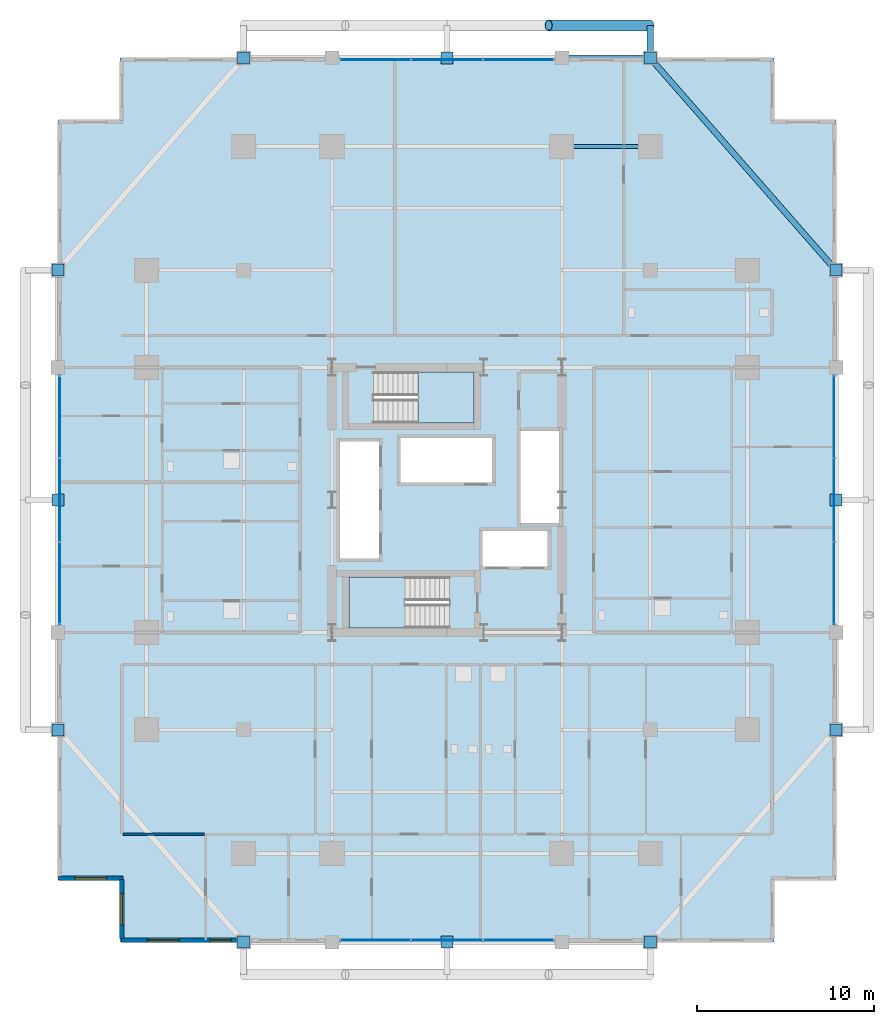
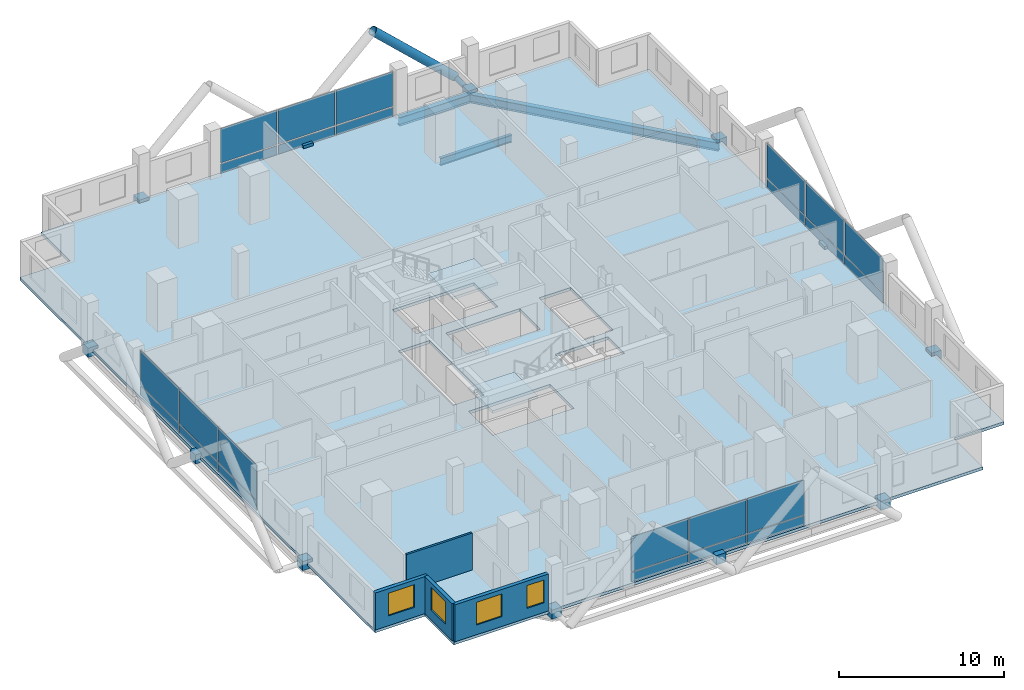
# One storey, part 20 of 27: 36 plates, 4 walls, 4 windows, 3 beams, 3 slabs, 2 members, 4 openings, 6 elements without a shape of their own.
"""IFC4 building model written with IfcOpenShell, lengths in metres."""

from ifc_helpers import new_model, si_unit, direction, frame, frame_2d, origin, origin_2d, place, context, subcontext, project, spatial, polyline, rectangle, hollow_circle, i_section, outline, extrude, material, layer, layer_set, material_profile, profile_set, type_object, element, fill, aggregate, save


model = new_model("IFC4")

# Units and contexts
model_context = context("Model", 3, precision=1e-05, world=origin(), true_north=direction((0.0, 1.0)))
body_context = subcontext(model_context, "Body", "Model", "MODEL_VIEW")
ifc_project = project(units=[si_unit("LENGTHUNIT", "METRE"), si_unit("AREAUNIT", "SQUARE_METRE"), si_unit("VOLUMEUNIT", "CUBIC_METRE"), si_unit("PLANEANGLEUNIT", "RADIAN"), si_unit("MASSUNIT", "GRAM", prefix="KILO")], contexts=[model_context])

# Site, building, storey
site_placement = place(None, origin())
site = spatial("IfcSite", under=ifc_project, at=site_placement, CompositionType="ELEMENT")
building_placement = place(site_placement, origin())
building = spatial("IfcBuilding", under=site, at=building_placement, Name="Barlavira Tower and Art Museum", CompositionType="ELEMENT")
storey_placement = place(building_placement, frame((0.0, 0.0, 50.39990234375)))
storey = spatial("IfcBuildingStorey", under=building, at=storey_placement, Name="L11", CompositionType="ELEMENT", Elevation=50.39990234375)

# Members
ifc_material_1 = material(Name="Steel S355", Category="steel")
ifc_material_profile_1 = material_profile(ifc_material_1, hollow_circle(Radius=0.304931640625, WallThickness=0.028076171875, at=origin_2d()), Name="CHS 610.0x28.0")
ifc_profile_set_1 = profile_set([ifc_material_profile_1], Name="Steel S355")
member_type_1 = type_object("IfcMemberType", Name="Pale-Metal Exoskeleton Diagrid Tube CHS 610x28 Steel S355", PredefinedType="BRACE", material=ifc_profile_set_1)
member_1_placement = place(storey_placement, frame((11.5, 26.85009765625, -0.119873046875), z_axis=(-0.728950095515, 0.0, 0.684566839869), x_axis=(0.0, -1.0, 0.0)))
element("IfcMember", 1, at=member_1_placement, inside=storey, type_object=member_type_1, Name="L11 Exoskeleton Diagrid Tube N", PredefinedType="BRACE", context=body_context, shape_type="SweptSolid", body=[
    extrude(hollow_circle(Radius=0.304931640625, WallThickness=0.028076171875, at=origin_2d()), origin(), (0.0, 0.0, 1.0), 7.887939453125),
])
ifc_material_profile_2 = material_profile(ifc_material_1, hollow_circle(Radius=0.177734375, WallThickness=0.01611328125, at=origin_2d()), Name="CHS 355.6x16.0")
ifc_profile_set_2 = profile_set([ifc_material_profile_2], Name="Steel S355")
member_type_2 = type_object("IfcMemberType", Name="Pale-Metal Exoskeleton Tie Strut CHS 356x16 Steel S355", PredefinedType="STRUT", material=ifc_profile_set_2)
member_2_placement = place(storey_placement, frame((11.5, 26.85009765625, -0.119873046875), z_axis=(0.0, -1.0, 0.0), x_axis=(1.0, 0.0, 0.0)))
element("IfcMember", 2, at=member_2_placement, inside=storey, type_object=member_type_2, Name="L11 Exoskeleton Tie Strut N3", PredefinedType="STRUT", context=body_context, shape_type="SweptSolid", body=[
    extrude(hollow_circle(Radius=0.177734375, WallThickness=0.01611328125, at=origin_2d()), origin(), (0.0, 0.0, 1.0), 1.85009765625),
])

# Beams
ifc_material_profile_3 = material_profile(ifc_material_1, i_section(OverallWidth=0.327880859375, OverallDepth=0.62890625, WebThickness=0.013916015625, FlangeThickness=0.021484375, at=origin_2d()), Name="W610x174.0")
ifc_profile_set_3 = profile_set([ifc_material_profile_3], Name="Steel S355")
beam_type_1 = type_object("IfcBeamType", Name="Perimeter Spandrel Edge Beam W610x174 Steel S355", PredefinedType="SPANDREL", material=ifc_profile_set_3)
beam_1_placement = place(storey_placement, frame((22.0, 13.0, -0.534423828125), z_axis=(-0.658504607869, 0.752576694707, 0.0), x_axis=(-0.752576694707, -0.658504607869, 0.0)))
element("IfcBeam", 3, at=beam_1_placement, inside=storey, type_object=beam_type_1, Name="L11 Spandrel 8", PredefinedType="SPANDREL", context=body_context, shape_type="SweptSolid", body=[
    extrude(i_section(OverallWidth=0.327880859375, OverallDepth=0.62890625, WebThickness=0.013916015625, FlangeThickness=0.021484375, at=origin_2d()), origin(), (0.0, 0.0, 1.0), 15.9453125),
])
beam_2_placement = place(storey_placement, frame((6.5, 25.0, -0.534423828125), z_axis=(1.0, 0.0, 0.0), x_axis=(0.0, 1.0, 0.0)))
element("IfcBeam", 4, at=beam_2_placement, inside=storey, type_object=beam_type_1, Name="L11 Spandrel 9", PredefinedType="SPANDREL", context=body_context, shape_type="SweptSolid", body=[
    extrude(i_section(OverallWidth=0.327880859375, OverallDepth=0.62890625, WebThickness=0.013916015625, FlangeThickness=0.021484375, at=origin_2d()), origin(), (0.0, 0.0, 1.0), 5.0),
])
ifc_material_profile_4 = material_profile(ifc_material_1, i_section(OverallWidth=0.214111328125, OverallDepth=0.549072265625, WebThickness=0.0146484375, FlangeThickness=0.023681640625, at=origin_2d()), Name="W530x138.0")
ifc_profile_set_4 = profile_set([ifc_material_profile_4], Name="Steel S355")
beam_type_2 = type_object("IfcBeamType", Name="Zone 1 Primary Floor Girder W530x138 Steel S355", PredefinedType="BEAM", material=ifc_profile_set_4)
beam_3_placement = place(storey_placement, frame((6.5, 20.0, -0.494384765625), z_axis=(1.0, 0.0, 0.0), x_axis=(0.0, 1.0, 0.0)))
element("IfcBeam", 5, at=beam_3_placement, inside=storey, type_object=beam_type_2, Name="L11 Girder M-N3", PredefinedType="BEAM", context=body_context, shape_type="SweptSolid", body=[
    extrude(i_section(OverallWidth=0.214111328125, OverallDepth=0.549072265625, WebThickness=0.0146484375, FlangeThickness=0.023681640625, at=origin_2d()), origin(), (0.0, 0.0, 1.0), 5.0),
])

# Curtain wall, plates
ifc_material_2 = material(Name="Low-iron coastal laminated glass", Category="glass")
ifc_layer_1 = layer(ifc_material_2, 0.179931640625, Name="Low-iron coastal laminated glass")
ifc_layer_set_1 = layer_set([ifc_layer_1], Name="Low-iron coastal laminated glass")
curtain_wall_type = type_object("IfcCurtainWallType", Name="Pale-Metal Unitised Curtain Wall Zone 1", PredefinedType="NOTDEFINED", material=ifc_layer_set_1)
curtain_wall_1_placement = place(storey_placement, origin())
curtain_wall_1 = element("IfcCurtainWall", 6, at=curtain_wall_1_placement, inside=storey, type_object=curtain_wall_type, Name="L11 Curtain Wall CW1-L11-S-B3", PredefinedType="NOTDEFINED")
ifc_material_3 = material(Name="Pale anodised aluminium", Category="aluminium")
ifc_layer_2 = layer(ifc_material_3, 0.044921875, Name="Pale anodised aluminium")
ifc_layer_set_2 = layer_set([ifc_layer_2], Name="Pale anodised aluminium")
plate_type_1 = type_object("IfcPlateType", Name="Curtain Wall Pale-Metal Spandrel Panel 45", PredefinedType="CURTAIN_PANEL", material=ifc_layer_set_2)
plate_1_placement = place(storey_placement, frame((-4.05322265625, -24.89990234375, 0.0400390625), z_axis=(0.0, 0.0, 1.0), x_axis=(1.0, 0.0, 0.0)))
plate_1 = element("IfcPlate", 7, at=plate_1_placement, type_object=plate_type_1, Name="CW1-L11-S-B3 Spandrel Panel 0", PredefinedType="CURTAIN_PANEL", context=body_context, shape_type="SweptSolid", body=[
    extrude(rectangle(XDim=3.953369140625, YDim=0.044921875, at=origin_2d()), origin(), (0.0, 0.0, 1.0), 0.6640625),
])
plate_2_placement = place(storey_placement, frame((0.0, -24.89990234375, 0.0400390625), z_axis=(0.0, 0.0, 1.0), x_axis=(1.0, 0.0, 0.0)))
plate_2 = element("IfcPlate", 8, at=plate_2_placement, type_object=plate_type_1, Name="CW1-L11-S-B3 Spandrel Panel 1", PredefinedType="CURTAIN_PANEL", context=body_context, shape_type="SweptSolid", body=[
    extrude(rectangle(XDim=3.953369140625, YDim=0.044921875, at=origin_2d()), origin(), (0.0, 0.0, 1.0), 0.6640625),
])
plate_3_placement = place(storey_placement, frame((4.05322265625, -24.89990234375, 0.0400390625), z_axis=(0.0, 0.0, 1.0), x_axis=(1.0, 0.0, 0.0)))
plate_3 = element("IfcPlate", 9, at=plate_3_placement, type_object=plate_type_1, Name="CW1-L11-S-B3 Spandrel Panel 2", PredefinedType="CURTAIN_PANEL", context=body_context, shape_type="SweptSolid", body=[
    extrude(rectangle(XDim=3.953369140625, YDim=0.044921875, at=origin_2d()), origin(), (0.0, 0.0, 1.0), 0.6640625),
])

curtain_wall_2_placement = place(storey_placement, origin())
curtain_wall_2 = element("IfcCurtainWall", 10, at=curtain_wall_2_placement, inside=storey, type_object=curtain_wall_type, Name="L11 Curtain Wall CW1-L11-N-B3", PredefinedType="NOTDEFINED")
plate_4_placement = place(storey_placement, frame((4.05322265625, 24.89990234375, 0.0400390625), z_axis=(0.0, 0.0, 1.0), x_axis=(-1.0, 0.0, 0.0)))
plate_4 = element("IfcPlate", 11, at=plate_4_placement, type_object=plate_type_1, Name="CW1-L11-N-B3 Spandrel Panel 0", PredefinedType="CURTAIN_PANEL", context=body_context, shape_type="SweptSolid", body=[
    extrude(rectangle(XDim=3.953369140625, YDim=0.044921875, at=origin_2d()), origin(), (0.0, 0.0, 1.0), 0.6640625),
])
plate_5_placement = place(storey_placement, frame((0.0, 24.89990234375, 0.0400390625), z_axis=(0.0, 0.0, 1.0), x_axis=(-1.0, 0.0, 0.0)))
plate_5 = element("IfcPlate", 12, at=plate_5_placement, type_object=plate_type_1, Name="CW1-L11-N-B3 Spandrel Panel 1", PredefinedType="CURTAIN_PANEL", context=body_context, shape_type="SweptSolid", body=[
    extrude(rectangle(XDim=3.953369140625, YDim=0.044921875, at=origin_2d()), origin(), (0.0, 0.0, 1.0), 0.6640625),
])
plate_6_placement = place(storey_placement, frame((-4.05322265625, 24.89990234375, 0.0400390625), z_axis=(0.0, 0.0, 1.0), x_axis=(-1.0, 0.0, 0.0)))
plate_6 = element("IfcPlate", 13, at=plate_6_placement, type_object=plate_type_1, Name="CW1-L11-N-B3 Spandrel Panel 2", PredefinedType="CURTAIN_PANEL", context=body_context, shape_type="SweptSolid", body=[
    extrude(rectangle(XDim=3.953369140625, YDim=0.044921875, at=origin_2d()), origin(), (0.0, 0.0, 1.0), 0.6640625),
])

curtain_wall_3_placement = place(storey_placement, origin())
curtain_wall_3 = element("IfcCurtainWall", 14, at=curtain_wall_3_placement, inside=storey, type_object=curtain_wall_type, Name="L11 Curtain Wall CW1-L11-W-B3", PredefinedType="NOTDEFINED")
plate_7_placement = place(storey_placement, frame((-21.89990234375, 4.719970703125, 0.0400390625), z_axis=(0.0, 0.0, 1.0), x_axis=(0.0, -1.0, 0.0)))
plate_7 = element("IfcPlate", 15, at=plate_7_placement, type_object=plate_type_1, Name="CW1-L11-W-B3 Spandrel Panel 0", PredefinedType="CURTAIN_PANEL", context=body_context, shape_type="SweptSolid", body=[
    extrude(rectangle(XDim=4.6201171875, YDim=0.044921875, at=origin_2d()), origin(), (0.0, 0.0, 1.0), 0.6640625),
])
plate_8_placement = place(storey_placement, frame((-21.89990234375, 0.0, 0.0400390625), z_axis=(0.0, 0.0, 1.0), x_axis=(0.0, -1.0, 0.0)))
plate_8 = element("IfcPlate", 16, at=plate_8_placement, type_object=plate_type_1, Name="CW1-L11-W-B3 Spandrel Panel 1", PredefinedType="CURTAIN_PANEL", context=body_context, shape_type="SweptSolid", body=[
    extrude(rectangle(XDim=4.6201171875, YDim=0.044921875, at=origin_2d()), origin(), (0.0, 0.0, 1.0), 0.6640625),
])
plate_9_placement = place(storey_placement, frame((-21.89990234375, -4.719970703125, 0.0400390625), z_axis=(0.0, 0.0, 1.0), x_axis=(0.0, -1.0, 0.0)))
plate_9 = element("IfcPlate", 17, at=plate_9_placement, type_object=plate_type_1, Name="CW1-L11-W-B3 Spandrel Panel 2", PredefinedType="CURTAIN_PANEL", context=body_context, shape_type="SweptSolid", body=[
    extrude(rectangle(XDim=4.6201171875, YDim=0.044921875, at=origin_2d()), origin(), (0.0, 0.0, 1.0), 0.6640625),
])

curtain_wall_4_placement = place(storey_placement, origin())
curtain_wall_4 = element("IfcCurtainWall", 18, at=curtain_wall_4_placement, inside=storey, type_object=curtain_wall_type, Name="L11 Curtain Wall CW1-L11-E-B3", PredefinedType="NOTDEFINED")
plate_10_placement = place(storey_placement, frame((21.89990234375, -4.719970703125, 0.0400390625), z_axis=(0.0, 0.0, 1.0), x_axis=(0.0, 1.0, 0.0)))
plate_10 = element("IfcPlate", 19, at=plate_10_placement, type_object=plate_type_1, Name="CW1-L11-E-B3 Spandrel Panel 0", PredefinedType="CURTAIN_PANEL", context=body_context, shape_type="SweptSolid", body=[
    extrude(rectangle(XDim=4.6201171875, YDim=0.044921875, at=origin_2d()), origin(), (0.0, 0.0, 1.0), 0.6640625),
])
plate_11_placement = place(storey_placement, frame((21.89990234375, 0.0, 0.0400390625), z_axis=(0.0, 0.0, 1.0), x_axis=(0.0, 1.0, 0.0)))
plate_11 = element("IfcPlate", 20, at=plate_11_placement, type_object=plate_type_1, Name="CW1-L11-E-B3 Spandrel Panel 1", PredefinedType="CURTAIN_PANEL", context=body_context, shape_type="SweptSolid", body=[
    extrude(rectangle(XDim=4.6201171875, YDim=0.044921875, at=origin_2d()), origin(), (0.0, 0.0, 1.0), 0.6640625),
])
plate_12_placement = place(storey_placement, frame((21.89990234375, 4.719970703125, 0.0400390625), z_axis=(0.0, 0.0, 1.0), x_axis=(0.0, 1.0, 0.0)))
plate_12 = element("IfcPlate", 21, at=plate_12_placement, type_object=plate_type_1, Name="CW1-L11-E-B3 Spandrel Panel 2", PredefinedType="CURTAIN_PANEL", context=body_context, shape_type="SweptSolid", body=[
    extrude(rectangle(XDim=4.6201171875, YDim=0.044921875, at=origin_2d()), origin(), (0.0, 0.0, 1.0), 0.6640625),
])

# Plate
ifc_layer_3 = layer(ifc_material_2, 0.028076171875, Name="Low-iron coastal laminated glass")
ifc_layer_set_3 = layer_set([ifc_layer_3], Name="Low-iron coastal laminated glass")
plate_type_2 = type_object("IfcPlateType", Name="Curtain Wall Vision Glazing Panel 28", PredefinedType="CURTAIN_PANEL", material=ifc_layer_set_3)
plate_13_placement = place(storey_placement, frame((-4.05322265625, -24.89990234375, 0.7841796875), z_axis=(0.0, 0.0, 1.0), x_axis=(1.0, 0.0, 0.0)))
plate_13 = element("IfcPlate", 22, at=plate_13_placement, type_object=plate_type_2, Name="CW1-L11-S-B3 Vision Glass Panel 0", PredefinedType="CURTAIN_PANEL", context=body_context, shape_type="SweptSolid", body=[
    extrude(rectangle(XDim=3.953369140625, YDim=0.028076171875, at=origin_2d()), origin(), (0.0, 0.0, 1.0), 2.555908203125),
])

plate_14_placement = place(storey_placement, frame((0.0, -24.89990234375, 0.7841796875), z_axis=(0.0, 0.0, 1.0), x_axis=(1.0, 0.0, 0.0)))
plate_14 = element("IfcPlate", 23, at=plate_14_placement, type_object=plate_type_2, Name="CW1-L11-S-B3 Vision Glass Panel 1", PredefinedType="CURTAIN_PANEL", context=body_context, shape_type="SweptSolid", body=[
    extrude(rectangle(XDim=3.953369140625, YDim=0.028076171875, at=origin_2d()), origin(), (0.0, 0.0, 1.0), 2.555908203125),
])

plate_15_placement = place(storey_placement, frame((4.05322265625, -24.89990234375, 0.7841796875), z_axis=(0.0, 0.0, 1.0), x_axis=(1.0, 0.0, 0.0)))
plate_15 = element("IfcPlate", 24, at=plate_15_placement, type_object=plate_type_2, Name="CW1-L11-S-B3 Vision Glass Panel 2", PredefinedType="CURTAIN_PANEL", context=body_context, shape_type="SweptSolid", body=[
    extrude(rectangle(XDim=3.953369140625, YDim=0.028076171875, at=origin_2d()), origin(), (0.0, 0.0, 1.0), 2.555908203125),
])

aggregate(curtain_wall_1, [plate_1, plate_13, plate_2, plate_14, plate_3, plate_15])

plate_16_placement = place(storey_placement, frame((4.05322265625, 24.89990234375, 0.7841796875), z_axis=(0.0, 0.0, 1.0), x_axis=(-1.0, 0.0, 0.0)))
plate_16 = element("IfcPlate", 25, at=plate_16_placement, type_object=plate_type_2, Name="CW1-L11-N-B3 Vision Glass Panel 0", PredefinedType="CURTAIN_PANEL", context=body_context, shape_type="SweptSolid", body=[
    extrude(rectangle(XDim=3.953369140625, YDim=0.028076171875, at=origin_2d()), origin(), (0.0, 0.0, 1.0), 2.555908203125),
])

plate_17_placement = place(storey_placement, frame((0.0, 24.89990234375, 0.7841796875), z_axis=(0.0, 0.0, 1.0), x_axis=(-1.0, 0.0, 0.0)))
plate_17 = element("IfcPlate", 26, at=plate_17_placement, type_object=plate_type_2, Name="CW1-L11-N-B3 Vision Glass Panel 1", PredefinedType="CURTAIN_PANEL", context=body_context, shape_type="SweptSolid", body=[
    extrude(rectangle(XDim=3.953369140625, YDim=0.028076171875, at=origin_2d()), origin(), (0.0, 0.0, 1.0), 2.555908203125),
])

plate_18_placement = place(storey_placement, frame((-4.05322265625, 24.89990234375, 0.7841796875), z_axis=(0.0, 0.0, 1.0), x_axis=(-1.0, 0.0, 0.0)))
plate_18 = element("IfcPlate", 27, at=plate_18_placement, type_object=plate_type_2, Name="CW1-L11-N-B3 Vision Glass Panel 2", PredefinedType="CURTAIN_PANEL", context=body_context, shape_type="SweptSolid", body=[
    extrude(rectangle(XDim=3.953369140625, YDim=0.028076171875, at=origin_2d()), origin(), (0.0, 0.0, 1.0), 2.555908203125),
])

aggregate(curtain_wall_2, [plate_4, plate_16, plate_5, plate_17, plate_6, plate_18])

plate_19_placement = place(storey_placement, frame((-21.89990234375, 4.719970703125, 0.7841796875), z_axis=(0.0, 0.0, 1.0), x_axis=(0.0, -1.0, 0.0)))
plate_19 = element("IfcPlate", 28, at=plate_19_placement, type_object=plate_type_2, Name="CW1-L11-W-B3 Vision Glass Panel 0", PredefinedType="CURTAIN_PANEL", context=body_context, shape_type="SweptSolid", body=[
    extrude(rectangle(XDim=4.6201171875, YDim=0.028076171875, at=origin_2d()), origin(), (0.0, 0.0, 1.0), 2.555908203125),
])

plate_20_placement = place(storey_placement, frame((-21.89990234375, 0.0, 0.7841796875), z_axis=(0.0, 0.0, 1.0), x_axis=(0.0, -1.0, 0.0)))
plate_20 = element("IfcPlate", 29, at=plate_20_placement, type_object=plate_type_2, Name="CW1-L11-W-B3 Vision Glass Panel 1", PredefinedType="CURTAIN_PANEL", context=body_context, shape_type="SweptSolid", body=[
    extrude(rectangle(XDim=4.6201171875, YDim=0.028076171875, at=origin_2d()), origin(), (0.0, 0.0, 1.0), 2.555908203125),
])

plate_21_placement = place(storey_placement, frame((-21.89990234375, -4.719970703125, 0.7841796875), z_axis=(0.0, 0.0, 1.0), x_axis=(0.0, -1.0, 0.0)))
plate_21 = element("IfcPlate", 30, at=plate_21_placement, type_object=plate_type_2, Name="CW1-L11-W-B3 Vision Glass Panel 2", PredefinedType="CURTAIN_PANEL", context=body_context, shape_type="SweptSolid", body=[
    extrude(rectangle(XDim=4.6201171875, YDim=0.028076171875, at=origin_2d()), origin(), (0.0, 0.0, 1.0), 2.555908203125),
])

aggregate(curtain_wall_3, [plate_7, plate_19, plate_8, plate_20, plate_9, plate_21])

plate_22_placement = place(storey_placement, frame((21.89990234375, -4.719970703125, 0.7841796875), z_axis=(0.0, 0.0, 1.0), x_axis=(0.0, 1.0, 0.0)))
plate_22 = element("IfcPlate", 31, at=plate_22_placement, type_object=plate_type_2, Name="CW1-L11-E-B3 Vision Glass Panel 0", PredefinedType="CURTAIN_PANEL", context=body_context, shape_type="SweptSolid", body=[
    extrude(rectangle(XDim=4.6201171875, YDim=0.028076171875, at=origin_2d()), origin(), (0.0, 0.0, 1.0), 2.555908203125),
])

plate_23_placement = place(storey_placement, frame((21.89990234375, 0.0, 0.7841796875), z_axis=(0.0, 0.0, 1.0), x_axis=(0.0, 1.0, 0.0)))
plate_23 = element("IfcPlate", 32, at=plate_23_placement, type_object=plate_type_2, Name="CW1-L11-E-B3 Vision Glass Panel 1", PredefinedType="CURTAIN_PANEL", context=body_context, shape_type="SweptSolid", body=[
    extrude(rectangle(XDim=4.6201171875, YDim=0.028076171875, at=origin_2d()), origin(), (0.0, 0.0, 1.0), 2.555908203125),
])

plate_24_placement = place(storey_placement, frame((21.89990234375, 4.719970703125, 0.7841796875), z_axis=(0.0, 0.0, 1.0), x_axis=(0.0, 1.0, 0.0)))
plate_24 = element("IfcPlate", 33, at=plate_24_placement, type_object=plate_type_2, Name="CW1-L11-E-B3 Vision Glass Panel 2", PredefinedType="CURTAIN_PANEL", context=body_context, shape_type="SweptSolid", body=[
    extrude(rectangle(XDim=4.6201171875, YDim=0.028076171875, at=origin_2d()), origin(), (0.0, 0.0, 1.0), 2.555908203125),
])

aggregate(curtain_wall_4, [plate_10, plate_22, plate_11, plate_23, plate_12, plate_24])

# Plates
ifc_layer_4 = layer(ifc_material_1, 0.679931640625, Name="Steel S355")
ifc_layer_set_4 = layer_set([ifc_layer_4], Name="Steel S355")
plate_type_3 = type_object("IfcPlateType", Name="Exoskeleton Tie-Back Solid Cap Plate Assembly Type 5 Steel S355", PredefinedType="USERDEFINED", material=ifc_layer_set_4)
for number, where, z_axis, x_axis, name in (
    (34, (-11.5, -25.0, -0.4599609375), (0.0, 0.0, 1.0), (1.0, 0.0, 0.0), "Slab Edge Tie Cap Plate S1 ND-L11-0082"),
    (35, (0.0, -25.0, -0.4599609375), (0.0, 0.0, 1.0), (1.0, 0.0, 0.0), "Slab Edge Tie Cap Plate S2 ND-L11-0083"),
    (36, (11.5, -25.0, -0.4599609375), (0.0, 0.0, 1.0), (1.0, 0.0, 0.0), "Slab Edge Tie Cap Plate S3 ND-L11-0084"),
    (37, (-11.5, 25.0, -0.4599609375), (0.0, 0.0, 1.0), (1.0, 0.0, 0.0), "Slab Edge Tie Cap Plate N1 ND-L11-0090"),
    (38, (0.0, 25.0, -0.4599609375), (0.0, 0.0, 1.0), (1.0, 0.0, 0.0), "Slab Edge Tie Cap Plate N2 ND-L11-0091"),
    (39, (11.5, 25.0, -0.4599609375), (0.0, 0.0, 1.0), (1.0, 0.0, 0.0), "Slab Edge Tie Cap Plate N3 ND-L11-0092"),
    (40, (-22.0, -13.0, -0.4599609375), (0.0, 0.0, 1.0), (1.0, 0.0, 0.0), "Slab Edge Tie Cap Plate W1 ND-L11-0098"),
    (41, (-22.0, 0.0, -0.4599609375), (0.0, 0.0, 1.0), (1.0, 0.0, 0.0), "Slab Edge Tie Cap Plate W2 ND-L11-0099"),
    (42, (-22.0, 13.0, -0.4599609375), (0.0, 0.0, 1.0), (1.0, 0.0, 0.0), "Slab Edge Tie Cap Plate W3 ND-L11-0100"),
    (43, (22.0, -13.0, -0.4599609375), (0.0, 0.0, 1.0), (1.0, 0.0, 0.0), "Slab Edge Tie Cap Plate E1 ND-L11-0106"),
    (44, (22.0, 0.0, -0.4599609375), (0.0, 0.0, 1.0), (1.0, 0.0, 0.0), "Slab Edge Tie Cap Plate E2 ND-L11-0107"),
    (45, (22.0, 13.0, -0.4599609375), (0.0, 0.0, 1.0), (1.0, 0.0, 0.0), "Slab Edge Tie Cap Plate E3 ND-L11-0108"),
):
    element("IfcPlate", number, at=place(storey_placement, frame(where, z_axis=z_axis, x_axis=x_axis)), inside=storey, type_object=plate_type_3, Name=name, ObjectType="FLANGE_PLATE", PredefinedType="USERDEFINED", context=body_context, shape_type="SweptSolid", body=[
        extrude(rectangle(XDim=0.679931640625, YDim=0.679931640625, at=origin_2d()), origin(), (0.0, 0.0, 1.0), 0.679931640625),
    ])

# Stair, slab
ifc_material_4 = material(Name="Concrete C45", Category="concrete")
stair_type_1 = type_object("IfcStairType", Name="Tower North Dog-Leg Exit Stair Assembly Concrete C45", PredefinedType="TWO_QUARTER_TURN_STAIR", material=ifc_material_4)
stair_1_placement = place(storey_placement, origin())
stair_1 = element("IfcStair", 46, at=stair_1_placement, inside=storey, type_object=stair_type_1, Name="L11 Tower North Exit Stair ST-T2", PredefinedType="TWO_QUARTER_TURN_STAIR")
ifc_layer_5 = layer(ifc_material_4, 0.199951171875, Name="Concrete C45")
ifc_layer_set_5 = layer_set([ifc_layer_5], Name="Concrete C45")
slab_type_1 = type_object("IfcSlabType", Name="Tower North Dog-Leg Exit Stair Half-Landing Slab 200 Concrete C45", PredefinedType="LANDING", material=ifc_layer_set_5)
slab_1_placement = place(storey_placement, frame((0.0, 0.0, 1.60009765625)))
slab_1 = element("IfcSlab", 47, at=slab_1_placement, type_object=slab_type_1, Name="ST-T2 landing 1", PredefinedType="LANDING", context=body_context, shape_type="SweptSolid", body=[
    extrude(outline(polyline([(-1.64990234375, 4.35009765625), (1.530029296875, 4.35009765625), (1.530029296875, 7.25), (-1.64990234375, 7.25), (-1.64990234375, 4.35009765625)])), origin(), (0.0, 0.0, 1.0), 0.199951171875),
])
aggregate(stair_1, [slab_1])

stair_type_2 = type_object("IfcStairType", Name="Tower South Dog-Leg Exit Stair Assembly Concrete C45", PredefinedType="TWO_QUARTER_TURN_STAIR", material=ifc_material_4)
stair_2_placement = place(storey_placement, origin())
stair_2 = element("IfcStair", 48, at=stair_2_placement, inside=storey, type_object=stair_type_2, Name="L11 Tower South Exit Stair ST-T1", PredefinedType="TWO_QUARTER_TURN_STAIR")
ifc_layer_6 = layer(ifc_material_4, 0.199951171875, Name="Concrete C45")
ifc_layer_set_6 = layer_set([ifc_layer_6], Name="Concrete C45")
slab_type_2 = type_object("IfcSlabType", Name="Tower South Dog-Leg Exit Stair Half-Landing Slab 200 Concrete C45", PredefinedType="LANDING", material=ifc_layer_set_6)
slab_2_placement = place(storey_placement, frame((0.0, 0.0, 1.60009765625)))
slab_2 = element("IfcSlab", 49, at=slab_2_placement, type_object=slab_type_2, Name="ST-T1 landing 1", PredefinedType="LANDING", context=body_context, shape_type="SweptSolid", body=[
    extrude(outline(polyline([(-2.3701171875, -4.35009765625), (-5.550048828125, -4.35009765625), (-5.550048828125, -7.25), (-2.3701171875, -7.25), (-2.3701171875, -4.35009765625)])), origin(), (0.0, 0.0, 1.0), 0.199951171875),
])
aggregate(stair_2, [slab_2])

# Slab
ifc_material_5 = material(Name="Concrete C50", Category="concrete")
ifc_layer_7 = layer(ifc_material_5, 0.219970703125, Name="Concrete C50")
ifc_layer_set_7 = layer_set([ifc_layer_7], Name="Concrete C50")
slab_type_3 = type_object("IfcSlabType", Name="Zone 1 Residential Composite Slab 220 Concrete C50", PredefinedType="FLOOR", material=ifc_layer_set_7)
slab_3_placement = place(storey_placement, frame((0.0, 0.0, -0.219970703125)))
element("IfcSlab", 50, at=slab_3_placement, inside=storey, type_object=slab_type_3, Name="L11 Tower Floor Slab", PredefinedType="FLOOR", context=body_context, shape_type="SweptSolid", body=[
    extrude(outline(polyline([(-18.5, -25.0), (18.5, -25.0), (18.5, -21.5), (22.0, -21.5), (22.0, 21.5), (18.5, 21.5), (18.5, 25.0), (-18.5, 25.0), (-18.5, 21.5), (-22.0, 21.5), (-22.0, -21.5), (-18.5, -21.5), (-18.5, -25.0)]), holes=[polyline([(0.14990234375, -4.35009765625), (-5.550048828125, -4.35009765625), (-5.550048828125, -7.25), (0.14990234375, -7.25), (0.14990234375, -4.35009765625)]), polyline([(-4.169921875, 4.35009765625), (1.530029296875, 4.35009765625), (1.530029296875, 7.25), (-4.169921875, 7.25), (-4.169921875, 4.35009765625)]), polyline([(-6.050048828125, -3.31005859375), (-3.85009765625, -3.31005859375), (-3.85009765625, 3.31005859375), (-6.050048828125, 3.31005859375), (-6.050048828125, -3.31005859375)]), polyline([(4.14990234375, -1.2900390625), (6.35009765625, -1.2900390625), (6.35009765625, 3.889892578125), (4.14990234375, 3.889892578125), (4.14990234375, -1.2900390625)]), polyline([(-2.6201171875, 1.0), (2.56005859375, 1.0), (2.56005859375, 3.5), (-2.6201171875, 3.5), (-2.6201171875, 1.0)]), polyline([(2.0, -3.75), (5.699951171875, -3.75), (5.699951171875, -1.75), (2.0, -1.75), (2.0, -3.75)])]), origin(), (0.0, 0.0, 1.0), 0.219970703125),
])

# Wall
ifc_material_6 = material(Name="Gypsum acoustic stud partition", Category="gypsum")
ifc_layer_8 = layer(ifc_material_6, 0.139892578125, Name="Gypsum acoustic stud partition")
ifc_layer_set_8 = layer_set([ifc_layer_8], Name="Gypsum acoustic stud partition")
wall_type_1 = type_object("IfcWallType", Name="Moisture-Resistant Bathroom Partition 140", PredefinedType="PARTITIONING", material=ifc_layer_set_8)
wall_1_placement = place(storey_placement, frame((-18.320068359375, -18.89990234375, 0.0), z_axis=(0.0, 0.0, 1.0), x_axis=(1.0, 0.0, 0.0)))
element("IfcWall", 51, at=wall_1_placement, inside=storey, type_object=wall_type_1, Name="L11 Partition Wall 21", PredefinedType="PARTITIONING", context=body_context, shape_type="SweptSolid", body=[
    extrude(rectangle(XDim=4.590087890625, YDim=0.139892578125, at=frame_2d((2.294921875, 0.0))), origin(), (0.0, 0.0, 1.0), 2.736083984375),
])

# Wall, openings, windows
ifc_material_7 = material(Name="Precast concrete C40", Category="concrete")
ifc_layer_9 = layer(ifc_material_7, 0.25, Name="Precast concrete C40")
ifc_layer_set_9 = layer_set([ifc_layer_9], Name="Precast concrete C40")
wall_type_2 = type_object("IfcWallType", Name="Notched Corner Spandrel Wall 250 Precast Concrete C40", PredefinedType="SOLIDWALL", material=ifc_layer_set_9)
wall_2_placement = place(storey_placement, frame((-18.425048828125, -24.89990234375, 0.0), z_axis=(0.0, 0.0, 1.0), x_axis=(1.0, 0.0, 0.0)))
wall_2 = element("IfcWall", 52, at=wall_2_placement, inside=storey, type_object=wall_type_2, Name="L11 Coastal Facade Pier Wall CW1-L11-S-1", PredefinedType="SOLIDWALL", context=body_context, shape_type="SweptSolid", body=[
    extrude(rectangle(XDim=6.530029296875, YDim=0.25, at=frame_2d((3.26513671875, 0.0))), origin(), (0.0, 0.0, 1.0), 2.736083984375),
])
opening_1_placement = place(wall_2_placement, frame((1.47802734375, 0.0, 0.719970703125)))
opening_1 = element("IfcOpeningElement", 53, at=opening_1_placement, cuts=wall_2, Name="Opening WN-01", PredefinedType="OPENING", context=body_context, shape_type="SweptSolid", body=[
    extrude(rectangle(XDim=1.800048828125, YDim=1.679931640625, at=frame_2d((0.89990234375, 0.83984375))), frame((0.0, 0.135009765625, 0.0), z_axis=(0.0, -1.0, 0.0), x_axis=(1.0, 0.0, 0.0)), (0.0, 0.0, 1.0), 0.27001953125),
])
opening_2_placement = place(wall_2_placement, frame((5.02001953125, 0.0, 0.719970703125)))
opening_2 = element("IfcOpeningElement", 54, at=opening_2_placement, cuts=wall_2, Name="Opening WN-05", PredefinedType="OPENING", context=body_context, shape_type="SweptSolid", body=[
    extrude(rectangle(XDim=1.199951171875, YDim=1.679931640625, at=frame_2d((0.60009765625, 0.83984375))), frame((0.0, 0.135009765625, 0.0), z_axis=(0.0, -1.0, 0.0), x_axis=(1.0, 0.0, 0.0)), (0.0, 0.0, 1.0), 0.27001953125),
])
window_type_1 = type_object("IfcWindowType", Name="Recessed Flank Pier Punch Window 1200x1680", PartitioningType="SINGLE_PANEL", PredefinedType="WINDOW", material=ifc_material_2)
window_1_placement = place(opening_2_placement, origin())
window_1 = element("IfcWindow", 55, at=window_1_placement, inside=storey, type_object=window_type_1, Name="L11 Punched Facade Window EWP-CW1-L11-S-1-2", OverallHeight=1.679931640625, OverallWidth=1.199951171875, PartitioningType="SINGLE_PANEL", PredefinedType="WINDOW", context=body_context, shape_type="SweptSolid", body=[
    extrude(rectangle(XDim=1.199951171875, YDim=1.679931640625, at=frame_2d((0.60009765625, 0.83984375))), frame((0.0, 0.030029296875, 0.0), z_axis=(0.0, -1.0, 0.0), x_axis=(1.0, 0.0, 0.0)), (0.0, 0.0, 1.0), 0.06005859375),
])
fill(opening_2, window_1)
window_type_2 = type_object("IfcWindowType", Name="Recessed Notch Corner Punch Window 1800x1680", PartitioningType="SINGLE_PANEL", PredefinedType="WINDOW", material=ifc_material_2)
window_2_placement = place(opening_1_placement, origin())
window_2 = element("IfcWindow", 56, at=window_2_placement, inside=storey, type_object=window_type_2, Name="L11 Punched Facade Window EWP-CW1-L11-S-1-1", OverallHeight=1.679931640625, OverallWidth=1.800048828125, PartitioningType="SINGLE_PANEL", PredefinedType="WINDOW", context=body_context, shape_type="SweptSolid", body=[
    extrude(rectangle(XDim=1.800048828125, YDim=1.679931640625, at=frame_2d((0.89990234375, 0.83984375))), frame((0.0, 0.030029296875, 0.0), z_axis=(0.0, -1.0, 0.0), x_axis=(1.0, 0.0, 0.0)), (0.0, 0.0, 1.0), 0.06005859375),
])
fill(opening_1, window_2)

# Wall, opening, window
wall_3_placement = place(storey_placement, frame((-21.97998046875, -21.39990234375, 0.0), z_axis=(0.0, 0.0, 1.0), x_axis=(1.0, 0.0, 0.0)))
wall_3 = element("IfcWall", 57, at=wall_3_placement, inside=storey, type_object=wall_type_2, Name="L11 Notch Corner Wall SW1", PredefinedType="SOLIDWALL", context=body_context, shape_type="SweptSolid", body=[
    extrude(rectangle(XDim=3.659912109375, YDim=0.25, at=frame_2d((1.830078125, 0.0))), origin(), (0.0, 0.0, 1.0), 2.736083984375),
])
opening_3_placement = place(wall_3_placement, frame((0.929931640625, 0.0, 0.719970703125)))
opening_3 = element("IfcOpeningElement", 58, at=opening_3_placement, cuts=wall_3, Name="Opening WN-01", PredefinedType="OPENING", context=body_context, shape_type="SweptSolid", body=[
    extrude(rectangle(XDim=1.800048828125, YDim=1.679931640625, at=frame_2d((0.89990234375, 0.83984375))), frame((0.0, 0.135009765625, 0.0), z_axis=(0.0, -1.0, 0.0), x_axis=(1.0, 0.0, 0.0)), (0.0, 0.0, 1.0), 0.27001953125),
])
window_3_placement = place(opening_3_placement, origin())
window_3 = element("IfcWindow", 59, at=window_3_placement, inside=storey, type_object=window_type_2, Name="L11 Punched Facade Window EW-NTC-L11-SW1-1", OverallHeight=1.679931640625, OverallWidth=1.800048828125, PartitioningType="SINGLE_PANEL", PredefinedType="WINDOW", context=body_context, shape_type="SweptSolid", body=[
    extrude(rectangle(XDim=1.800048828125, YDim=1.679931640625, at=frame_2d((0.89990234375, 0.83984375))), frame((0.0, 0.030029296875, 0.0), z_axis=(0.0, -1.0, 0.0), x_axis=(1.0, 0.0, 0.0)), (0.0, 0.0, 1.0), 0.06005859375),
])
fill(opening_3, window_3)

wall_4_placement = place(storey_placement, frame((-18.39990234375, -21.47998046875, 0.0), z_axis=(0.0, 0.0, 1.0), x_axis=(0.0, -1.0, 0.0)))
wall_4 = element("IfcWall", 60, at=wall_4_placement, inside=storey, type_object=wall_type_2, Name="L11 Notch Corner Wall SW2", PredefinedType="SOLIDWALL", context=body_context, shape_type="SweptSolid", body=[
    extrude(rectangle(XDim=3.340087890625, YDim=0.25, at=frame_2d((1.669921875, 0.0))), origin(), (0.0, 0.0, 1.0), 2.736083984375),
])
opening_4_placement = place(wall_4_placement, frame((0.77001953125, 0.0, 0.719970703125)))
opening_4 = element("IfcOpeningElement", 61, at=opening_4_placement, cuts=wall_4, Name="Opening WN-01", PredefinedType="OPENING", context=body_context, shape_type="SweptSolid", body=[
    extrude(rectangle(XDim=1.800048828125, YDim=1.679931640625, at=frame_2d((0.89990234375, 0.83984375))), frame((0.0, 0.135009765625, 0.0), z_axis=(0.0, -1.0, 0.0), x_axis=(1.0, 0.0, 0.0)), (0.0, 0.0, 1.0), 0.27001953125),
])
window_4_placement = place(opening_4_placement, origin())
window_4 = element("IfcWindow", 62, at=window_4_placement, inside=storey, type_object=window_type_2, Name="L11 Punched Facade Window EW-NTC-L11-SW2-1", OverallHeight=1.679931640625, OverallWidth=1.800048828125, PartitioningType="SINGLE_PANEL", PredefinedType="WINDOW", context=body_context, shape_type="SweptSolid", body=[
    extrude(rectangle(XDim=1.800048828125, YDim=1.679931640625, at=frame_2d((0.89990234375, 0.83984375))), frame((0.0, 0.030029296875, 0.0), z_axis=(0.0, -1.0, 0.0), x_axis=(1.0, 0.0, 0.0)), (0.0, 0.0, 1.0), 0.06005859375),
])
fill(opening_4, window_4)

save(model, "model.ifc")
